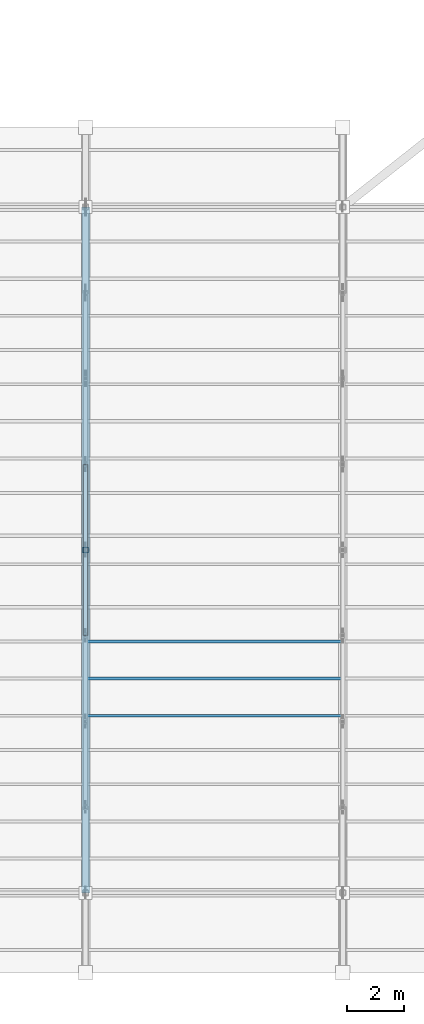
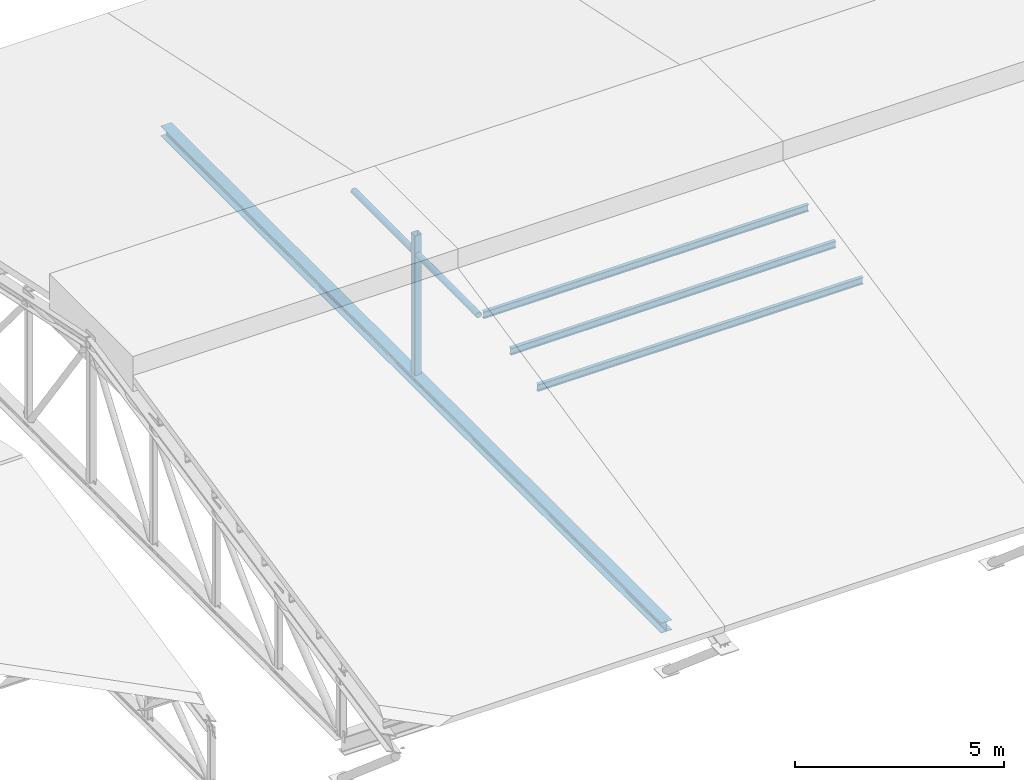
# One storey, part 7 of 43: 6 members.
"""IFC4 building model written with IfcOpenShell, lengths in metres."""

from ifc_helpers import new_model, si_unit, direction, frame, origin, origin_2d, place, context, subcontext, project, spatial, hollow_rectangle, hollow_circle, i_section, extrude, material, material_profile, profile_set, type_object, element, save


model = new_model("IFC4")

# Units and contexts
model_context = context("Model", 3, precision=1e-05, world=origin(), true_north=direction((0.0, 1.0)))
body_context = subcontext(model_context, "Body", "Model", "MODEL_VIEW")
ifc_project = project(units=[si_unit("LENGTHUNIT", "METRE"), si_unit("AREAUNIT", "SQUARE_METRE"), si_unit("VOLUMEUNIT", "CUBIC_METRE"), si_unit("PLANEANGLEUNIT", "RADIAN"), si_unit("MASSUNIT", "GRAM", prefix="KILO")], contexts=[model_context])

# Site, building, storey
site_placement = place(None, origin())
site = spatial("IfcSite", under=ifc_project, at=site_placement, CompositionType="ELEMENT")
building_placement = place(site_placement, origin())
building = spatial("IfcBuilding", under=site, at=building_placement, Name="Serraforn Aerial Cableway Station", CompositionType="ELEMENT")
storey_placement = place(building_placement, frame((0.0, 0.0, 18.300048828125)))
storey = spatial("IfcBuildingStorey", under=building, at=storey_placement, Name="RF", CompositionType="ELEMENT", Elevation=18.300048828125)

# Members
ifc_material_1 = material(Name="Steel S355J2", Category="steel")
ifc_material_profile_1 = material_profile(ifc_material_1, i_section(OverallWidth=0.300048828125, OverallDepth=0.300048828125, WebThickness=0.008544921875, FlangeThickness=0.013916015625, FilletRadius=0.027099609375, at=origin_2d()), Name="HEA 300")
ifc_profile_set_1 = profile_set([ifc_material_profile_1], Name="Steel S355J2")
member_type_1 = type_object("IfcMemberType", Name="MEM-BC-HEA300", PredefinedType="CHORD", material=ifc_profile_set_1)
member_1_placement = place(storey_placement, frame((36.60009765625, 18.0, -1.35009765625), z_axis=(0.0, 1.0, 0.0), x_axis=(-1.0, 0.0, 0.0)))
element("IfcMember", 1, at=member_1_placement, inside=storey, type_object=member_type_1, Name="Roof Truss TR-02 Bottom Chord", PredefinedType="CHORD", context=body_context, shape_type="SweptSolid", body=[
    extrude(i_section(OverallWidth=0.300048828125, OverallDepth=0.300048828125, WebThickness=0.008544921875, FlangeThickness=0.013916015625, FilletRadius=0.027099609375, at=origin_2d()), origin(), (0.0, 0.0, 1.0), 24.0),
])
ifc_material_profile_2 = material_profile(ifc_material_1, hollow_circle(Radius=0.084228515625, WallThickness=0.008056640625, at=origin_2d()), Name="CHS 168.3x8.0")
ifc_profile_set_2 = profile_set([ifc_material_profile_2], Name="Steel S355J2")
member_type_2 = type_object("IfcMemberType", Name="MEM-CL-CHS168", PredefinedType="COLLAR", material=ifc_profile_set_2)
member_2_placement = place(storey_placement, frame((36.60009765625, 27.0, 2.3076171875), z_axis=(0.0, 1.0, 0.0), x_axis=(-1.0, 0.0, 0.0)))
element("IfcMember", 2, at=member_2_placement, inside=storey, type_object=member_type_2, Name="Roof Truss TR-02 Collar Tie", PredefinedType="COLLAR", context=body_context, shape_type="SweptSolid", body=[
    extrude(hollow_circle(Radius=0.084228515625, WallThickness=0.008056640625, at=origin_2d()), origin(), (0.0, 0.0, 1.0), 6.0),
])
ifc_material_2 = material(Name="Steel S355JR", Category="steel")
ifc_material_profile_3 = material_profile(ifc_material_2, i_section(OverallWidth=0.10009765625, OverallDepth=0.199951171875, WebThickness=0.005615234375, FlangeThickness=0.008544921875, FilletRadius=0.011962890625, at=origin_2d()), Name="IPE 200")
ifc_profile_set_3 = profile_set([ifc_material_profile_3], Name="Steel S355JR")
member_type_3 = type_object("IfcMemberType", Name="MEM-PR-IPE200", PredefinedType="PURLIN", material=ifc_profile_set_3)
for number, where, z_axis, x_axis, name in (
    (3, (36.60009765625, 25.5, 2.163330078125), (1.0, 0.0, 0.0), (0.0, 1.0, 0.0), "Boarding Hall Purlin 2-5"),
    (4, (36.60009765625, 24.199951171875, 1.88720703125), (1.0, 0.0, 0.0), (0.0, 1.0, 0.0), "Boarding Hall Secondary Purlin 2-3"),
    (5, (36.60009765625, 26.800048828125, 2.439697265625), (1.0, 0.0, 0.0), (0.0, 1.0, 0.0), "Boarding Hall Secondary Purlin 2-4"),
):
    element("IfcMember", number, at=place(storey_placement, frame(where, z_axis=z_axis, x_axis=x_axis)), inside=storey, type_object=member_type_3, Name=name, PredefinedType="PURLIN", context=body_context, shape_type="SweptSolid", body=[
        extrude(i_section(OverallWidth=0.10009765625, OverallDepth=0.199951171875, WebThickness=0.005615234375, FlangeThickness=0.008544921875, FilletRadius=0.011962890625, at=origin_2d()), origin(), (0.0, 0.0, 1.0), 9.0),
    ])
ifc_material_profile_4 = material_profile(ifc_material_1, hollow_rectangle(XDim=0.199951171875, YDim=0.199951171875, WallThickness=0.010009765625, InnerFilletRadius=0.010009765625, OuterFilletRadius=0.02001953125, at=origin_2d()), Name="SHS 200x200x10.0")
ifc_profile_set_4 = profile_set([ifc_material_profile_4], Name="Steel S355J2")
member_type_4 = type_object("IfcMemberType", Name="MEM-VP-SHS200", PredefinedType="STRUT", material=ifc_profile_set_4)
member_3_placement = place(storey_placement, frame((36.60009765625, 30.0, -1.360107421875), z_axis=(0.0, 0.0, 1.0), x_axis=(1.0, 0.0, 0.0)))
element("IfcMember", 6, at=member_3_placement, inside=storey, type_object=member_type_4, Name="Roof Truss TR-02 Vertical Post 5", PredefinedType="STRUT", context=body_context, shape_type="SweptSolid", body=[
    extrude(hollow_rectangle(XDim=0.199951171875, YDim=0.199951171875, WallThickness=0.010009765625, InnerFilletRadius=0.010009765625, OuterFilletRadius=0.02001953125, at=origin_2d()), origin(), (0.0, 0.0, 1.0), 4.24609375),
])

save(model, "model.ifc")
